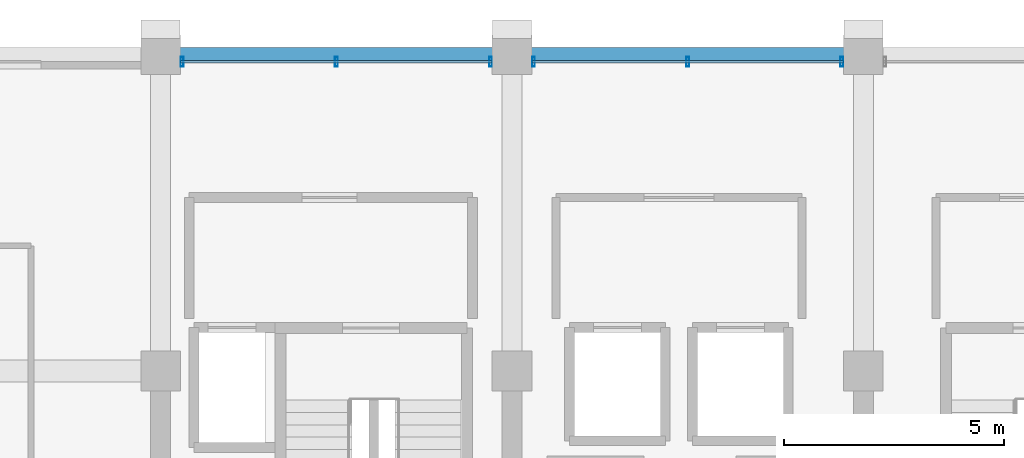
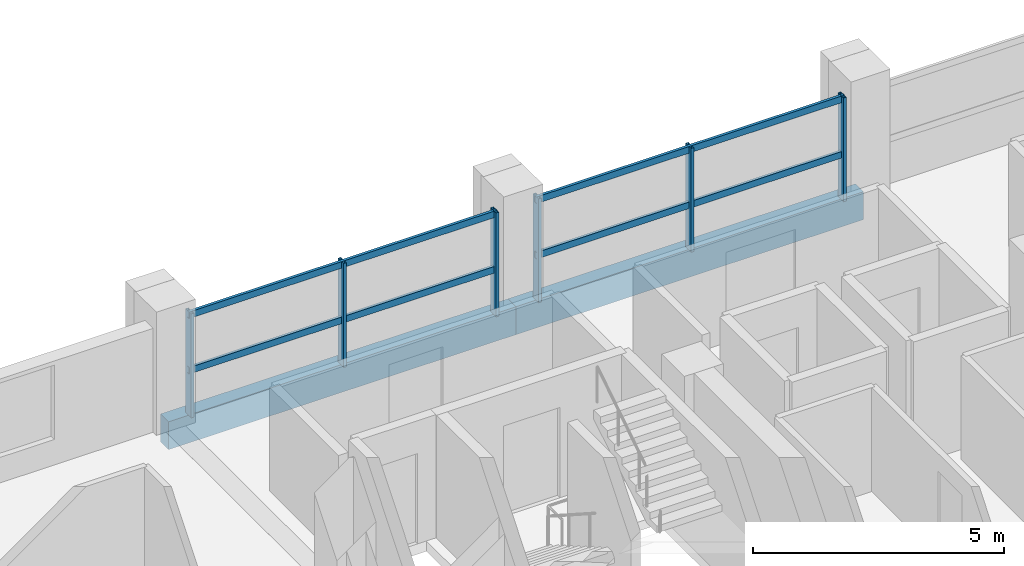
# One storey, part 10 of 21: 10 members, 2 beams, 2 elements without a shape of their own.
"""IFC4 building model written with IfcOpenShell, lengths in metres."""

from ifc_helpers import new_model, si_unit, direction, frame, origin, origin_2d, place, context, subcontext, project, spatial, rectangle, hollow_rectangle, extrude, material, material_profile, profile_set, type_object, element, aggregate, save


model = new_model("IFC4")

# Units and contexts
model_context = context("Model", 3, precision=1e-05, world=origin(), true_north=direction((0.0, 1.0)))
body_context = subcontext(model_context, "Body", "Model", "MODEL_VIEW")
ifc_project = project(units=[si_unit("LENGTHUNIT", "METRE"), si_unit("AREAUNIT", "SQUARE_METRE"), si_unit("VOLUMEUNIT", "CUBIC_METRE"), si_unit("PLANEANGLEUNIT", "RADIAN"), si_unit("MASSUNIT", "GRAM", prefix="KILO")], contexts=[model_context])

# Site, building, storey
site_placement = place(None, origin())
site = spatial("IfcSite", under=ifc_project, at=site_placement, CompositionType="ELEMENT")
building_placement = place(site_placement, origin())
building = spatial("IfcBuilding", under=site, at=building_placement, Name="Akrevak Sports Hall", CompositionType="ELEMENT")
storey_placement = place(building_placement, frame((0.0, 0.0, 34.050048828125)))
storey = spatial("IfcBuildingStorey", under=building, at=storey_placement, Name="L07", CompositionType="ELEMENT", Elevation=34.050048828125)

# Curtain wall, members
ifc_material_1 = material(Name="Anodized Bronze Aluminium & Low-E Glass", Category="aluminium")
curtain_wall_type = type_object("IfcCurtainWallType", Name="ARC-CW-TWR-56x30", PredefinedType="NOTDEFINED", material=ifc_material_1)
curtain_wall_1_placement = place(storey_placement, origin())
curtain_wall_1 = element("IfcCurtainWall", 1, at=curtain_wall_1_placement, inside=storey, type_object=curtain_wall_type, Name="Curtain Wall CW-L07-N24", PredefinedType="NOTDEFINED")
ifc_material_2 = material(Name="Anodized Bronze Aluminium", Category="aluminium")
ifc_material_profile_1 = material_profile(ifc_material_2, hollow_rectangle(XDim=0.06494140625, YDim=0.219970703125, WallThickness=0.00439453125, at=origin_2d()), Name="CWM 65x220", Category="aluminium")
ifc_profile_set_1 = profile_set([ifc_material_profile_1], Name="Anodized Bronze Aluminium")
member_type_1 = type_object("IfcMemberType", Name="ARC-CWM-70x160", PredefinedType="MULLION", material=ifc_profile_set_1)
member_1_placement = place(storey_placement, frame((75.510009765625, 69.43994140625, 0.0), z_axis=(0.0, 0.0, 1.0), x_axis=(-1.0, 0.0, 0.0)))
member_1 = element("IfcMember", 2, at=member_1_placement, type_object=member_type_1, Name="Curtain Wall Mullion CW-L07-N24-M1", PredefinedType="MULLION", context=body_context, shape_type="SweptSolid", body=[
    extrude(hollow_rectangle(XDim=0.06494140625, YDim=0.219970703125, WallThickness=0.00439453125, at=origin_2d()), origin(), (0.0, 0.0, 1.0), 2.530029296875),
])
member_2_placement = place(storey_placement, frame((72.0, 69.43994140625, 0.0), z_axis=(0.0, 0.0, 1.0), x_axis=(-1.0, 0.0, 0.0)))
member_2 = element("IfcMember", 3, at=member_2_placement, type_object=member_type_1, Name="Curtain Wall Mullion CW-L07-N24-M2", PredefinedType="MULLION", context=body_context, shape_type="SweptSolid", body=[
    extrude(hollow_rectangle(XDim=0.06494140625, YDim=0.219970703125, WallThickness=0.00439453125, at=origin_2d()), origin(), (0.0, 0.0, 1.0), 2.530029296875),
])
member_3_placement = place(storey_placement, frame((68.489990234375, 69.43994140625, 0.0), z_axis=(0.0, 0.0, 1.0), x_axis=(-1.0, 0.0, 0.0)))
member_3 = element("IfcMember", 4, at=member_3_placement, type_object=member_type_1, Name="Curtain Wall Mullion CW-L07-N24-M3", PredefinedType="MULLION", context=body_context, shape_type="SweptSolid", body=[
    extrude(hollow_rectangle(XDim=0.06494140625, YDim=0.219970703125, WallThickness=0.00439453125, at=origin_2d()), origin(), (0.0, 0.0, 1.0), 2.530029296875),
])

curtain_wall_2_placement = place(storey_placement, origin())
curtain_wall_2 = element("IfcCurtainWall", 5, at=curtain_wall_2_placement, inside=storey, type_object=curtain_wall_type, Name="Curtain Wall CW-L07-N25", PredefinedType="NOTDEFINED")
member_4_placement = place(storey_placement, frame((67.510009765625, 69.43994140625, 0.0), z_axis=(0.0, 0.0, 1.0), x_axis=(-1.0, 0.0, 0.0)))
member_4 = element("IfcMember", 6, at=member_4_placement, type_object=member_type_1, Name="Curtain Wall Mullion CW-L07-N25-M1", PredefinedType="MULLION", context=body_context, shape_type="SweptSolid", body=[
    extrude(hollow_rectangle(XDim=0.06494140625, YDim=0.219970703125, WallThickness=0.00439453125, at=origin_2d()), origin(), (0.0, 0.0, 1.0), 2.530029296875),
])
member_5_placement = place(storey_placement, frame((64.0, 69.43994140625, 0.0), z_axis=(0.0, 0.0, 1.0), x_axis=(-1.0, 0.0, 0.0)))
member_5 = element("IfcMember", 7, at=member_5_placement, type_object=member_type_1, Name="Curtain Wall Mullion CW-L07-N25-M2", PredefinedType="MULLION", context=body_context, shape_type="SweptSolid", body=[
    extrude(hollow_rectangle(XDim=0.06494140625, YDim=0.219970703125, WallThickness=0.00439453125, at=origin_2d()), origin(), (0.0, 0.0, 1.0), 2.530029296875),
])
member_6_placement = place(storey_placement, frame((60.489990234375, 69.43994140625, 0.0), z_axis=(0.0, 0.0, 1.0), x_axis=(-1.0, 0.0, 0.0)))
member_6 = element("IfcMember", 8, at=member_6_placement, type_object=member_type_1, Name="Curtain Wall Mullion CW-L07-N25-M3", PredefinedType="MULLION", context=body_context, shape_type="SweptSolid", body=[
    extrude(hollow_rectangle(XDim=0.06494140625, YDim=0.219970703125, WallThickness=0.00439453125, at=origin_2d()), origin(), (0.0, 0.0, 1.0), 2.530029296875),
])

# Member
ifc_material_profile_2 = material_profile(ifc_material_2, hollow_rectangle(XDim=0.06494140625, YDim=0.159912109375, WallThickness=0.00390625, at=origin_2d()), Name="CWT 65x160", Category="aluminium")
ifc_profile_set_2 = profile_set([ifc_material_profile_2], Name="Anodized Bronze Aluminium")
member_type_2 = type_object("IfcMemberType", Name="ARC-CWT-70x130", PredefinedType="USERDEFINED", material=ifc_profile_set_2)
member_7_placement = place(storey_placement, frame((75.550048828125, 69.43994140625, 1.099853515625), z_axis=(-1.0, 0.0, 0.0), x_axis=(0.0, -1.0, 0.0)))
member_7 = element("IfcMember", 9, at=member_7_placement, type_object=member_type_2, Name="Curtain Wall Transom CW-L07-N24-T1", ObjectType="TRANSOM", PredefinedType="USERDEFINED", context=body_context, shape_type="SweptSolid", body=[
    extrude(hollow_rectangle(XDim=0.06494140625, YDim=0.159912109375, WallThickness=0.00390625, at=origin_2d()), origin(), (0.0, 0.0, 1.0), 7.10009765625),
])

member_8_placement = place(storey_placement, frame((75.550048828125, 69.43994140625, 2.449951171875), z_axis=(-1.0, 0.0, 0.0), x_axis=(0.0, -1.0, 0.0)))
member_8 = element("IfcMember", 10, at=member_8_placement, type_object=member_type_2, Name="Curtain Wall Transom CW-L07-N24-T2", ObjectType="TRANSOM", PredefinedType="USERDEFINED", context=body_context, shape_type="SweptSolid", body=[
    extrude(hollow_rectangle(XDim=0.06494140625, YDim=0.159912109375, WallThickness=0.00390625, at=origin_2d()), origin(), (0.0, 0.0, 1.0), 7.10009765625),
])

aggregate(curtain_wall_1, [member_1, member_2, member_3, member_7, member_8])

member_9_placement = place(storey_placement, frame((67.550048828125, 69.43994140625, 1.099853515625), z_axis=(-1.0, 0.0, 0.0), x_axis=(0.0, -1.0, 0.0)))
member_9 = element("IfcMember", 11, at=member_9_placement, type_object=member_type_2, Name="Curtain Wall Transom CW-L07-N25-T1", ObjectType="TRANSOM", PredefinedType="USERDEFINED", context=body_context, shape_type="SweptSolid", body=[
    extrude(hollow_rectangle(XDim=0.06494140625, YDim=0.159912109375, WallThickness=0.00390625, at=origin_2d()), origin(), (0.0, 0.0, 1.0), 7.10009765625),
])

member_10_placement = place(storey_placement, frame((67.550048828125, 69.43994140625, 2.449951171875), z_axis=(-1.0, 0.0, 0.0), x_axis=(0.0, -1.0, 0.0)))
member_10 = element("IfcMember", 12, at=member_10_placement, type_object=member_type_2, Name="Curtain Wall Transom CW-L07-N25-T2", ObjectType="TRANSOM", PredefinedType="USERDEFINED", context=body_context, shape_type="SweptSolid", body=[
    extrude(hollow_rectangle(XDim=0.06494140625, YDim=0.159912109375, WallThickness=0.00390625, at=origin_2d()), origin(), (0.0, 0.0, 1.0), 7.10009765625),
])

aggregate(curtain_wall_2, [member_4, member_5, member_6, member_9, member_10])

# Beams
ifc_material_3 = material(Name="Concrete C40/50", Category="concrete")
ifc_material_profile_3 = material_profile(ifc_material_3, rectangle(XDim=0.320068359375, YDim=0.679931640625, at=origin_2d()), Name="SPD 320x680", Category="concrete")
ifc_profile_set_3 = profile_set([ifc_material_profile_3], Name="Concrete C40/50")
beam_type = type_object("IfcBeamType", Name="STR-SPD-RC320x680", PredefinedType="SPANDREL", material=ifc_profile_set_3)
for number, where, z_axis, x_axis, name in (
    (13, (60.0, 69.60009765625, -0.340087890625), (1.0, 0.0, 0.0), (0.0, 1.0, 0.0), "Girder K/9-10 (L07)"),
    (14, (68.0, 69.60009765625, -0.340087890625), (1.0, 0.0, 0.0), (0.0, 1.0, 0.0), "Girder K/10-11 (L07)"),
):
    element("IfcBeam", number, at=place(storey_placement, frame(where, z_axis=z_axis, x_axis=x_axis)), inside=storey, type_object=beam_type, Name=name, PredefinedType="SPANDREL", context=body_context, shape_type="SweptSolid", body=[
        extrude(rectangle(XDim=0.320068359375, YDim=0.679931640625, at=origin_2d()), origin(), (0.0, 0.0, 1.0), 8.0),
    ])

save(model, "model.ifc")
